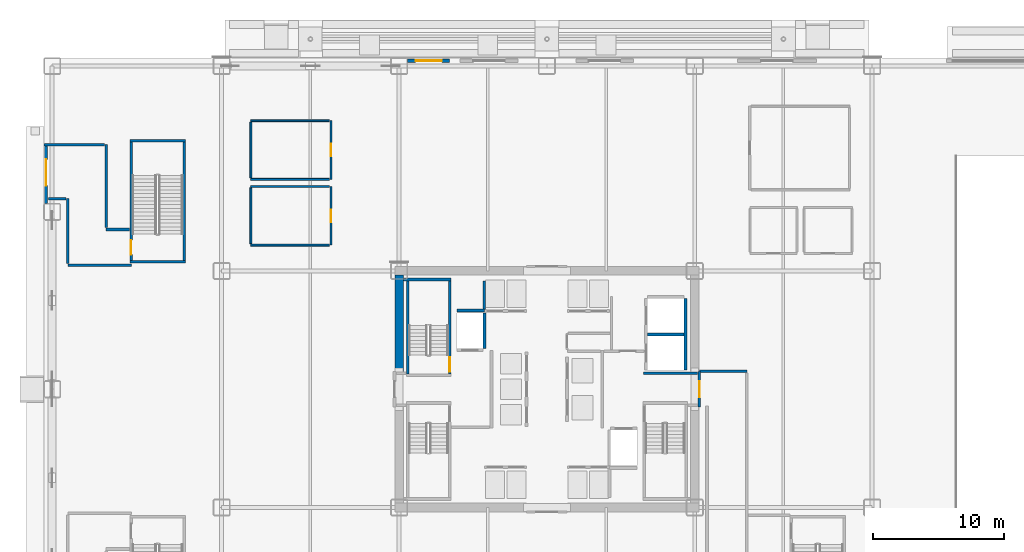
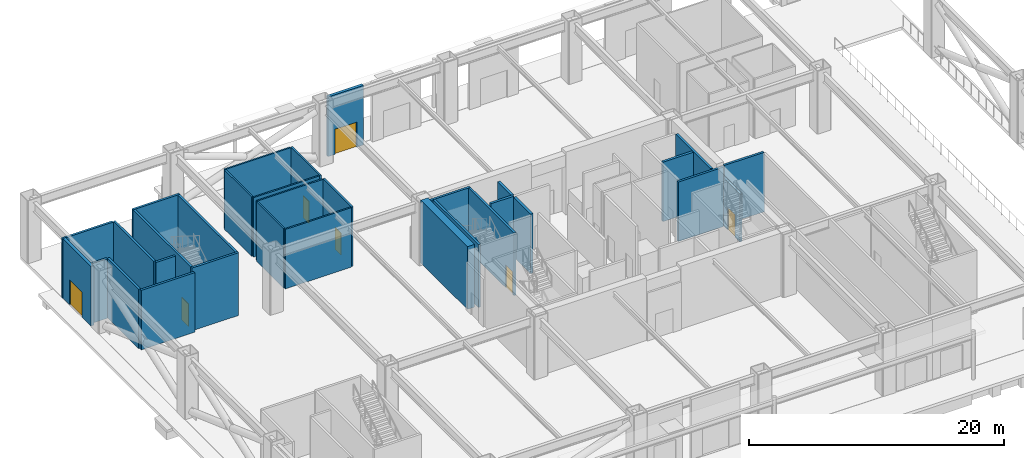
# One storey, part 10 of 17: 32 walls, 7 doors, 7 openings.
"""IFC4 building model written with IfcOpenShell, lengths in metres."""

from ifc_helpers import new_model, si_unit, direction, frame, frame_2d, origin, place, context, subcontext, project, spatial, rectangle, extrude, source, transform, mapped, material, layer, layer_set, type_object, element, fill, save


model = new_model("IFC4")

# Units and contexts
model_context = context("Model", 3, precision=1e-05, world=origin(), true_north=direction((0.0, 1.0)))
body_context = subcontext(model_context, "Body", "Model", "MODEL_VIEW")
ifc_project = project(units=[si_unit("LENGTHUNIT", "METRE"), si_unit("AREAUNIT", "SQUARE_METRE"), si_unit("VOLUMEUNIT", "CUBIC_METRE"), si_unit("PLANEANGLEUNIT", "RADIAN"), si_unit("MASSUNIT", "GRAM", prefix="KILO")], contexts=[model_context])

# Site, building, storey
site_placement = place(None, origin())
site = spatial("IfcSite", under=ifc_project, at=site_placement, CompositionType="ELEMENT")
building_placement = place(site_placement, origin())
building = spatial("IfcBuilding", under=site, at=building_placement, Name="Nefas-Gora Pilgrimage Tower", CompositionType="ELEMENT")
storey_placement = place(building_placement, origin())
storey = spatial("IfcBuildingStorey", under=building, at=storey_placement, Name="L00", CompositionType="ELEMENT", Elevation=0.0)

# Wall
ifc_material_1 = material(Name="Concrete C60/75", Category="concrete")
ifc_layer_1 = layer(ifc_material_1, 0.64990234375)
ifc_layer_set_1 = layer_set([ifc_layer_1], Name="Concrete C60/75")
wall_type_1 = type_object("IfcWallType", Name="SW-CORE-650", PredefinedType="SHEAR", material=ifc_layer_set_1)
shared_shape_1 = source(origin(), body_context, "Body", "SweptSolid", [
    extrude(rectangle(XDim=7.324951171875, YDim=0.64990234375, at=frame_2d((3.66259765625, 0.0))), origin(), (0.0, 0.0, 1.0), 6.0),
])
wall_1_placement = place(storey_placement, frame((-11.25, 1.35009765625, 0.0), z_axis=(0.0, 0.0, 1.0), x_axis=(0.0, 1.0, 0.0)))
element("IfcWall", 1, at=wall_1_placement, inside=storey, type_object=wall_type_1, Name="L00 Core Shear Wall W-North", PredefinedType="SHEAR", context=body_context, shape_type="MappedRepresentation", body=[
    mapped(shared_shape_1, transform((0.0, 0.0, 0.0), x_axis=(1.0, 0.0, 0.0), y_axis=(0.0, 1.0, 0.0), z_axis=(0.0, 0.0, 1.0), scale=1.0)),
])

# Wall, opening, door
ifc_material_2 = material(Name="Precast concrete C40/50", Category="concrete")
ifc_layer_2 = layer(ifc_material_2, 0.260009765625)
ifc_layer_set_2 = layer_set([ifc_layer_2], Name="Precast concrete C40/50")
wall_type_2 = type_object("IfcWallType", Name="EW-PORTAL-260", PredefinedType="SOLIDWALL", material=ifc_layer_set_2)
shared_shape_2 = source(origin(), body_context, "Body", "SweptSolid", [
    extrude(rectangle(XDim=3.2001953125, YDim=0.260009765625, at=frame_2d((1.60009765625, 0.0))), origin(), (0.0, 0.0, 1.0), 5.699951171875),
])
wall_2_placement = place(storey_placement, frame((-10.60009765625, 25.0, 0.0), z_axis=(0.0, 0.0, 1.0), x_axis=(1.0, 0.0, 0.0)))
wall_2 = element("IfcWall", 2, at=wall_2_placement, inside=storey, type_object=wall_type_2, Name="L00 Exterior Portal Wall (EX-01)", PredefinedType="SOLIDWALL", context=body_context, shape_type="MappedRepresentation", body=[
    mapped(shared_shape_2, transform((0.0, 0.0, 0.0), x_axis=(1.0, 0.0, 0.0), y_axis=(0.0, 1.0, 0.0), z_axis=(0.0, 0.0, 1.0), scale=1.0)),
])
opening_1_placement = place(wall_2_placement, frame((0.60009765625, 0.0, 0.0)))
opening_1 = element("IfcOpeningElement", 3, at=opening_1_placement, cuts=wall_2, Name="Opening EX-D1", PredefinedType="OPENING", context=body_context, shape_type="SweptSolid", body=[
    extrude(rectangle(XDim=2.0, YDim=2.39990234375, at=frame_2d((1.0, 1.199951171875))), frame((0.0, 0.139892578125, 0.0), z_axis=(0.0, -1.0, 0.0), x_axis=(1.0, 0.0, 0.0)), (0.0, 0.0, 1.0), 0.280029296875),
])
ifc_material_3 = material(Name="Painted galvanised steel fire exit door", Category="steel")
door_type_1 = type_object("IfcDoorType", Name="DR-EXT-EXIT-2000", OperationType="DOUBLE_DOOR_SINGLE_SWING", PredefinedType="DOOR", material=ifc_material_3)
shared_shape_3 = source(origin(), body_context, "Body", "SweptSolid", [
    extrude(rectangle(XDim=2.0, YDim=2.39990234375, at=frame_2d((1.0, 1.199951171875))), frame((0.0, 0.02490234375, 0.0), z_axis=(0.0, -1.0, 0.0), x_axis=(1.0, 0.0, 0.0)), (0.0, 0.0, 1.0), 0.050048828125),
])
door_1_placement = place(opening_1_placement, origin())
door_1 = element("IfcDoor", 4, at=door_1_placement, inside=storey, type_object=door_type_1, Name="L00 Exterior Door EX-01 (North Arrival Plaza (Concourse Exit EX-01))", OperationType="DOUBLE_DOOR_SINGLE_SWING", OverallHeight=2.39990234375, OverallWidth=2.0, PredefinedType="DOOR", context=body_context, shape_type="MappedRepresentation", body=[
    mapped(shared_shape_3, transform((0.0, 0.0, 0.0), x_axis=(1.0, 0.0, 0.0), y_axis=(0.0, 1.0, 0.0), z_axis=(0.0, 0.0, 1.0), scale=1.0)),
])
fill(opening_1, door_1)

shared_shape_4 = source(origin(), body_context, "Body", "SweptSolid", [
    extrude(rectangle(XDim=4.41015625, YDim=0.260009765625, at=frame_2d((2.205078125, 0.0))), origin(), (0.0, 0.0, 1.0), 5.699951171875),
])
wall_3_placement = place(storey_placement, frame((-38.1201171875, 14.1298828125, 0.0), z_axis=(0.0, 0.0, 1.0), x_axis=(0.0, 1.0, 0.0)))
wall_3 = element("IfcWall", 5, at=wall_3_placement, inside=storey, type_object=wall_type_2, Name="L00 Exterior Portal Wall (EX-04)", PredefinedType="SOLIDWALL", context=body_context, shape_type="MappedRepresentation", body=[
    mapped(shared_shape_4, transform((0.0, 0.0, 0.0), x_axis=(1.0, 0.0, 0.0), y_axis=(0.0, 1.0, 0.0), z_axis=(0.0, 0.0, 1.0), scale=1.0)),
])
opening_2_placement = place(wall_3_placement, frame((1.3701171875, 0.0, 0.0)))
opening_2 = element("IfcOpeningElement", 6, at=opening_2_placement, cuts=wall_3, Name="Opening EX-D1", PredefinedType="OPENING", context=body_context, shape_type="SweptSolid", body=[
    extrude(rectangle(XDim=2.0, YDim=2.39990234375, at=frame_2d((1.0, 1.199951171875))), frame((0.0, 0.139892578125, 0.0), z_axis=(0.0, -1.0, 0.0), x_axis=(1.0, 0.0, 0.0)), (0.0, 0.0, 1.0), 0.280029296875),
])
door_2_placement = place(opening_2_placement, origin())
door_2 = element("IfcDoor", 7, at=door_2_placement, inside=storey, type_object=door_type_1, Name="L00 Exterior Door EX-04 (West Exit Walkway (ST-04 Protected Exit Passage))", OperationType="DOUBLE_DOOR_SINGLE_SWING", OverallHeight=2.39990234375, OverallWidth=2.0, PredefinedType="DOOR", context=body_context, shape_type="MappedRepresentation", body=[
    mapped(shared_shape_3, transform((0.0, 0.0, 0.0), x_axis=(1.0, 0.0, 0.0), y_axis=(0.0, 1.0, 0.0), z_axis=(0.0, 0.0, 1.0), scale=1.0)),
])
fill(opening_2, door_2)

# Wall
ifc_material_4 = material(Name="Concrete C45/55", Category="concrete")
ifc_layer_3 = layer(ifc_material_4, 0.199951171875)
ifc_layer_set_3 = layer_set([ifc_layer_3], Name="Concrete C45/55")
wall_type_3 = type_object("IfcWallType", Name="IW-STAIR-200", PredefinedType="SOLIDWALL", material=ifc_layer_set_3)
shared_shape_5 = source(origin(), body_context, "Body", "SweptSolid", [
    extrude(rectangle(XDim=3.6298828125, YDim=0.199951171875, at=frame_2d((1.81494140625, 0.0))), origin(), (0.0, 0.0, 1.0), 6.0),
])
wall_4_placement = place(storey_placement, frame((-7.300048828125, 8.35009765625, 0.0), z_axis=(0.0, 0.0, 1.0), x_axis=(-1.0, 0.0, 0.0)))
element("IfcWall", 8, at=wall_4_placement, inside=storey, type_object=wall_type_3, Name="L00 Stairwell Shear Wall ST-01-far", PredefinedType="SOLIDWALL", context=body_context, shape_type="MappedRepresentation", body=[
    mapped(shared_shape_5, transform((0.0, 0.0, 0.0), x_axis=(1.0, 0.0, 0.0), y_axis=(0.0, 1.0, 0.0), z_axis=(0.0, 0.0, 1.0), scale=1.0)),
])

# Wall, opening, door
shared_shape_6 = source(origin(), body_context, "Body", "SweptSolid", [
    extrude(rectangle(XDim=7.10009765625, YDim=0.199951171875, at=frame_2d((3.550048828125, 0.0))), origin(), (0.0, 0.0, 1.0), 6.0),
])
wall_5_placement = place(storey_placement, frame((-7.39990234375, 1.14990234375, 0.0), z_axis=(0.0, 0.0, 1.0), x_axis=(0.0, 1.0, 0.0)))
wall_5 = element("IfcWall", 9, at=wall_5_placement, inside=storey, type_object=wall_type_3, Name="L00 Stairwell Shear Wall ST-01-left", PredefinedType="SOLIDWALL", context=body_context, shape_type="MappedRepresentation", body=[
    mapped(shared_shape_6, transform((0.0, 0.0, 0.0), x_axis=(1.0, 0.0, 0.0), y_axis=(0.0, 1.0, 0.0), z_axis=(0.0, 0.0, 1.0), scale=1.0)),
])
opening_3_placement = place(wall_5_placement, frame((0.179931640625, 0.0, 0.0)))
opening_3 = element("IfcOpeningElement", 10, at=opening_3_placement, cuts=wall_5, Name="Opening ID-ST1", PredefinedType="OPENING", context=body_context, shape_type="SweptSolid", body=[
    extrude(rectangle(XDim=1.10009765625, YDim=2.14990234375, at=frame_2d((0.550048828125, 1.074951171875))), frame((0.0, 0.10986328125, 0.0), z_axis=(0.0, -1.0, 0.0), x_axis=(1.0, 0.0, 0.0)), (0.0, 0.0, 1.0), 0.219970703125),
])
ifc_material_5 = material(Name="Painted galvanised steel fire stair door", Category="steel")
door_type_2 = type_object("IfcDoorType", Name="DR-INT-STAIR-1100", OperationType="NOTDEFINED", PredefinedType="DOOR", material=ifc_material_5)
shared_shape_7 = source(origin(), body_context, "Body", "SweptSolid", [
    extrude(rectangle(XDim=1.10009765625, YDim=2.14990234375, at=frame_2d((0.550048828125, 1.074951171875))), frame((0.0, 0.02490234375, 0.0), z_axis=(0.0, -1.0, 0.0), x_axis=(1.0, 0.0, 0.0)), (0.0, 0.0, 1.0), 0.050048828125),
])
door_3_placement = place(opening_3_placement, frame((1.10009765625, 0.0, 0.0), z_axis=(0.0, 0.0, 1.0), x_axis=(-1.0, 0.0, 0.0)))
door_3 = element("IfcDoor", 11, at=door_3_placement, inside=storey, type_object=door_type_2, Name="L00 Protected Exit Stair Door ST-01", OperationType="SINGLE_SWING_RIGHT", OverallHeight=2.14990234375, OverallWidth=1.10009765625, PredefinedType="DOOR", context=body_context, shape_type="MappedRepresentation", body=[
    mapped(shared_shape_7, transform((0.0, 0.0, 0.0), x_axis=(1.0, 0.0, 0.0), y_axis=(0.0, 1.0, 0.0), z_axis=(0.0, 0.0, 1.0), scale=1.0)),
])
fill(opening_3, door_3)

# Walls
wall_6_placement = place(storey_placement, frame((-10.60009765625, 1.14990234375, 0.0), z_axis=(0.0, 0.0, 1.0), x_axis=(0.0, 1.0, 0.0)))
element("IfcWall", 12, at=wall_6_placement, inside=storey, type_object=wall_type_3, Name="L00 Stairwell Shear Wall ST-01-right", PredefinedType="SOLIDWALL", context=body_context, shape_type="MappedRepresentation", body=[
    mapped(shared_shape_6, transform((0.0, 0.0, 0.0), x_axis=(1.0, 0.0, 0.0), y_axis=(0.0, 1.0, 0.0), z_axis=(0.0, 0.0, 1.0), scale=1.0)),
])
shared_shape_8 = source(origin(), body_context, "Body", "SweptSolid", [
    extrude(rectangle(XDim=4.239990234375, YDim=0.199951171875, at=frame_2d((2.1201171875, 0.0))), origin(), (0.0, 0.0, 1.0), 6.0),
])
for number, where, z_axis, x_axis, name in (
    (13, (-27.5, 9.699951171875, 0.0), (0.0, 0.0, 1.0), (-1.0, 0.0, 0.0), "L00 Stairwell Shear Wall ST-04-near"),
    (14, (-27.5, 18.89990234375, 0.0), (0.0, 0.0, 1.0), (-1.0, 0.0, 0.0), "L00 Stairwell Shear Wall ST-04-far"),
):
    element("IfcWall", number, at=place(storey_placement, frame(where, z_axis=z_axis, x_axis=x_axis)), inside=storey, type_object=wall_type_3, Name=name, PredefinedType="SOLIDWALL", context=body_context, shape_type="MappedRepresentation", body=[
        mapped(shared_shape_8, transform((0.0, 0.0, 0.0), x_axis=(1.0, 0.0, 0.0), y_axis=(0.0, 1.0, 0.0), z_axis=(0.0, 0.0, 1.0), scale=1.0)),
    ])
shared_shape_9 = source(origin(), body_context, "Body", "SweptSolid", [
    extrude(rectangle(XDim=9.0, YDim=0.199951171875, at=frame_2d((4.5, 0.0))), origin(), (0.0, 0.0, 1.0), 6.0),
])
wall_7_placement = place(storey_placement, frame((-27.60009765625, 9.800048828125, 0.0), z_axis=(0.0, 0.0, 1.0), x_axis=(0.0, 1.0, 0.0)))
element("IfcWall", 15, at=wall_7_placement, inside=storey, type_object=wall_type_3, Name="L00 Stairwell Shear Wall ST-04-left", PredefinedType="SOLIDWALL", context=body_context, shape_type="MappedRepresentation", body=[
    mapped(shared_shape_9, transform((0.0, 0.0, 0.0), x_axis=(1.0, 0.0, 0.0), y_axis=(0.0, 1.0, 0.0), z_axis=(0.0, 0.0, 1.0), scale=1.0)),
])

# Wall, opening, door
wall_8_placement = place(storey_placement, frame((-31.639892578125, 9.800048828125, 0.0), z_axis=(0.0, 0.0, 1.0), x_axis=(0.0, 1.0, 0.0)))
wall_8 = element("IfcWall", 16, at=wall_8_placement, inside=storey, type_object=wall_type_3, Name="L00 Stairwell Shear Wall ST-04-right", PredefinedType="SOLIDWALL", context=body_context, shape_type="MappedRepresentation", body=[
    mapped(shared_shape_9, transform((0.0, 0.0, 0.0), x_axis=(1.0, 0.0, 0.0), y_axis=(0.0, 1.0, 0.0), z_axis=(0.0, 0.0, 1.0), scale=1.0)),
])
opening_4_placement = place(wall_8_placement, frame((0.449951171875, 0.0, 0.0)))
opening_4 = element("IfcOpeningElement", 17, at=opening_4_placement, cuts=wall_8, Name="Opening ID-ST1", PredefinedType="OPENING", context=body_context, shape_type="SweptSolid", body=[
    extrude(rectangle(XDim=1.10009765625, YDim=2.14990234375, at=frame_2d((0.550048828125, 1.074951171875))), frame((0.0, 0.10986328125, 0.0), z_axis=(0.0, -1.0, 0.0), x_axis=(1.0, 0.0, 0.0)), (0.0, 0.0, 1.0), 0.219970703125),
])
door_4_placement = place(opening_4_placement, origin())
door_4 = element("IfcDoor", 18, at=door_4_placement, inside=storey, type_object=door_type_2, Name="L00 Protected Exit Stair Door ST-04", OperationType="SINGLE_SWING_RIGHT", OverallHeight=2.14990234375, OverallWidth=1.10009765625, PredefinedType="DOOR", context=body_context, shape_type="MappedRepresentation", body=[
    mapped(shared_shape_7, transform((0.0, 0.0, 0.0), x_axis=(1.0, 0.0, 0.0), y_axis=(0.0, 1.0, 0.0), z_axis=(0.0, 0.0, 1.0), scale=1.0)),
])
fill(opening_4, door_4)

# Walls
ifc_material_6 = material(Name="Concrete C40/50", Category="concrete")
ifc_layer_4 = layer(ifc_material_6, 0.219970703125)
ifc_layer_set_4 = layer_set([ifc_layer_4], Name="Concrete C40/50")
wall_type_4 = type_object("IfcWallType", Name="IW-SHAFT-220", PredefinedType="SOLIDWALL", material=ifc_layer_set_4)
shared_shape_10 = source(origin(), body_context, "Body", "SweptSolid", [
    extrude(rectangle(XDim=2.679931640625, YDim=0.219970703125, at=frame_2d((1.33984375, 0.0))), origin(), (0.0, 0.0, 1.0), 5.68505859375),
])
wall_9_placement = place(storey_placement, frame((-4.739990234375, 3.110107421875, 0.0), z_axis=(0.0, 0.0, 1.0), x_axis=(0.0, 1.0, 0.0)))
element("IfcWall", 19, at=wall_9_placement, inside=storey, type_object=wall_type_4, Name="L00 Hoistway Wall FFL-01-E", PredefinedType="SOLIDWALL", context=body_context, shape_type="MappedRepresentation", body=[
    mapped(shared_shape_10, transform((0.0, 0.0, 0.0), x_axis=(1.0, 0.0, 0.0), y_axis=(0.0, 1.0, 0.0), z_axis=(0.0, 0.0, 1.0), scale=1.0)),
])
shared_shape_11 = source(origin(), body_context, "Body", "SweptSolid", [
    extrude(rectangle(XDim=5.449951171875, YDim=0.219970703125, at=frame_2d((2.72509765625, 0.0))), origin(), (0.0, 0.0, 1.0), 5.68505859375),
])
wall_10_placement = place(storey_placement, frame((10.56005859375, 1.449951171875, 0.0), z_axis=(0.0, 0.0, 1.0), x_axis=(0.0, 1.0, 0.0)))
element("IfcWall", 20, at=wall_10_placement, inside=storey, type_object=wall_type_4, Name="L00 Hoistway Wall SL-01-02-E", PredefinedType="SOLIDWALL", context=body_context, shape_type="MappedRepresentation", body=[
    mapped(shared_shape_11, transform((0.0, 0.0, 0.0), x_axis=(1.0, 0.0, 0.0), y_axis=(0.0, 1.0, 0.0), z_axis=(0.0, 0.0, 1.0), scale=1.0)),
])
shared_shape_12 = source(origin(), body_context, "Body", "SweptSolid", [
    extrude(rectangle(XDim=2.780029296875, YDim=0.219970703125, at=frame_2d((1.39013671875, 0.0))), origin(), (0.0, 0.0, 1.0), 5.68505859375),
])
wall_11_placement = place(storey_placement, frame((7.659912109375, 4.175048828125, 0.0), z_axis=(0.0, 0.0, 1.0), x_axis=(1.0, 0.0, 0.0)))
element("IfcWall", 21, at=wall_11_placement, inside=storey, type_object=wall_type_4, Name="L00 Hoistway Wall SL-01-02-DIV", PredefinedType="SOLIDWALL", context=body_context, shape_type="MappedRepresentation", body=[
    mapped(shared_shape_12, transform((0.0, 0.0, 0.0), x_axis=(1.0, 0.0, 0.0), y_axis=(0.0, 1.0, 0.0), z_axis=(0.0, 0.0, 1.0), scale=1.0)),
])
shared_shape_13 = source(origin(), body_context, "Body", "SweptSolid", [
    extrude(rectangle(XDim=2.199951171875, YDim=0.219970703125, at=frame_2d((1.10009765625, 0.0))), origin(), (0.0, 0.0, 1.0), 5.68505859375),
])
wall_12_placement = place(storey_placement, frame((-4.764892578125, 6.050048828125, 0.0), z_axis=(0.0, 0.0, 1.0), x_axis=(0.0, 1.0, 0.0)))
element("IfcWall", 22, at=wall_12_placement, inside=storey, type_object=wall_type_4, Name="L00 Riser Shaft Wall 1", PredefinedType="SOLIDWALL", context=body_context, shape_type="MappedRepresentation", body=[
    mapped(shared_shape_13, transform((0.0, 0.0, 0.0), x_axis=(1.0, 0.0, 0.0), y_axis=(0.0, 1.0, 0.0), z_axis=(0.0, 0.0, 1.0), scale=1.0)),
])
shared_shape_14 = source(origin(), body_context, "Body", "SweptSolid", [
    extrude(rectangle(XDim=2.09521484375, YDim=0.219970703125, at=frame_2d((1.047607421875, 0.0))), origin(), (0.0, 0.0, 1.0), 5.68505859375),
])
wall_13_placement = place(storey_placement, frame((-6.85009765625, 6.0, 0.0), z_axis=(0.0, 0.0, 1.0), x_axis=(1.0, 0.0, 0.0)))
element("IfcWall", 23, at=wall_13_placement, inside=storey, type_object=wall_type_4, Name="L00 Riser Shaft Wall 2", PredefinedType="SOLIDWALL", context=body_context, shape_type="MappedRepresentation", body=[
    mapped(shared_shape_14, transform((0.0, 0.0, 0.0), x_axis=(1.0, 0.0, 0.0), y_axis=(0.0, 1.0, 0.0), z_axis=(0.0, 0.0, 1.0), scale=1.0)),
])

# Wall, opening, door
ifc_material_7 = material(Name="Gypsum fire-rated shaftwall")
ifc_layer_5 = layer(ifc_material_7, 0.199951171875)
ifc_layer_set_5 = layer_set([ifc_layer_5], Name="Gypsum fire-rated shaftwall")
wall_type_5 = type_object("IfcWallType", Name="IW-FFLOB-200", PredefinedType="PARTITIONING", material=ifc_layer_set_5)
shared_shape_15 = source(origin(), body_context, "Body", "SweptSolid", [
    extrude(rectangle(XDim=2.7001953125, YDim=0.199951171875, at=frame_2d((1.35009765625, 0.0))), origin(), (0.0, 0.0, 1.0), 4.574951171875),
])
wall_14_placement = place(storey_placement, frame((11.60009765625, -1.35009765625, 0.0), z_axis=(0.0, 0.0, 1.0), x_axis=(0.0, 1.0, 0.0)))
wall_14 = element("IfcWall", 24, at=wall_14_placement, inside=storey, type_object=wall_type_5, Name="L00 FF Lobby East Portal Wall 10", PredefinedType="PARTITIONING", context=body_context, shape_type="MappedRepresentation", body=[
    mapped(shared_shape_15, transform((0.0, 0.0, 0.0), x_axis=(1.0, 0.0, 0.0), y_axis=(0.0, 1.0, 0.0), z_axis=(0.0, 0.0, 1.0), scale=1.0)),
])
opening_5_placement = place(wall_14_placement, frame((0.75, 0.0, 0.0)))
opening_5 = element("IfcOpeningElement", 25, at=opening_5_placement, cuts=wall_14, Name="Opening ID-FF1", PredefinedType="OPENING", context=body_context, shape_type="SweptSolid", body=[
    extrude(rectangle(XDim=1.199951171875, YDim=2.14990234375, at=frame_2d((0.60009765625, 1.074951171875))), frame((0.0, 0.10986328125, 0.0), z_axis=(0.0, -1.0, 0.0), x_axis=(1.0, 0.0, 0.0)), (0.0, 0.0, 1.0), 0.219970703125),
])
ifc_material_8 = material(Name="Smoke-sealed steel firefighting lobby door", Category="steel")
door_type_3 = type_object("IfcDoorType", Name="DR-INT-FFLOB-1200", OperationType="NOTDEFINED", PredefinedType="DOOR", material=ifc_material_8)
shared_shape_16 = source(origin(), body_context, "Body", "SweptSolid", [
    extrude(rectangle(XDim=1.199951171875, YDim=2.14990234375, at=frame_2d((0.60009765625, 1.074951171875))), frame((0.0, 0.02490234375, 0.0), z_axis=(0.0, -1.0, 0.0), x_axis=(1.0, 0.0, 0.0)), (0.0, 0.0, 1.0), 0.050048828125),
])
door_5_placement = place(opening_5_placement, frame((1.199951171875, 0.0, 0.0), z_axis=(0.0, 0.0, 1.0), x_axis=(-1.0, 0.0, 0.0)))
door_5 = element("IfcDoor", 26, at=door_5_placement, inside=storey, type_object=door_type_3, Name="L00 FF Lobby East Portal Door 2", OperationType="SINGLE_SWING_LEFT", OverallHeight=2.14990234375, OverallWidth=1.199951171875, PredefinedType="DOOR", context=body_context, shape_type="MappedRepresentation", body=[
    mapped(shared_shape_16, transform((0.0, 0.0, 0.0), x_axis=(1.0, 0.0, 0.0), y_axis=(0.0, 1.0, 0.0), z_axis=(0.0, 0.0, 1.0), scale=1.0)),
])
fill(opening_5, door_5)

# Walls
shared_shape_17 = source(origin(), body_context, "Body", "SweptSolid", [
    extrude(rectangle(XDim=4.10986328125, YDim=0.199951171875, at=frame_2d((2.054931640625, 0.0))), origin(), (0.0, 0.0, 1.0), 5.68505859375),
])
wall_15_placement = place(storey_placement, frame((7.35009765625, 1.219970703125, 0.0), z_axis=(0.0, 0.0, 1.0), x_axis=(1.0, 0.0, 0.0)))
element("IfcWall", 27, at=wall_15_placement, inside=storey, type_object=wall_type_5, Name="L00 FF Lobby East Throat N Wall 14", PredefinedType="PARTITIONING", context=body_context, shape_type="MappedRepresentation", body=[
    mapped(shared_shape_17, transform((0.0, 0.0, 0.0), x_axis=(1.0, 0.0, 0.0), y_axis=(0.0, 1.0, 0.0), z_axis=(0.0, 0.0, 1.0), scale=1.0)),
])
shared_shape_18 = source(origin(), body_context, "Body", "SweptSolid", [
    extrude(rectangle(XDim=3.60498046875, YDim=0.199951171875, at=frame_2d((1.802490234375, 0.0))), origin(), (0.0, 0.0, 1.0), 5.68505859375),
])
wall_16_placement = place(storey_placement, frame((11.614990234375, 1.3798828125, 0.0), z_axis=(0.0, 0.0, 1.0), x_axis=(1.0, 0.0, 0.0)))
element("IfcWall", 28, at=wall_16_placement, inside=storey, type_object=wall_type_5, Name="L00 Protected Exit Passage EXP2 North Wall Wall 20", PredefinedType="PARTITIONING", context=body_context, shape_type="MappedRepresentation", body=[
    mapped(shared_shape_18, transform((0.0, 0.0, 0.0), x_axis=(1.0, 0.0, 0.0), y_axis=(0.0, 1.0, 0.0), z_axis=(0.0, 0.0, 1.0), scale=1.0)),
])
shared_shape_19 = source(origin(), body_context, "Body", "SweptSolid", [
    extrude(rectangle(XDim=4.85986328125, YDim=0.199951171875, at=frame_2d((2.429931640625, 0.0))), origin(), (0.0, 0.0, 1.0), 5.68505859375),
])
wall_17_placement = place(storey_placement, frame((-36.4599609375, 9.43994140625, 0.0), z_axis=(0.0, 0.0, 1.0), x_axis=(1.0, 0.0, 0.0)))
element("IfcWall", 29, at=wall_17_placement, inside=storey, type_object=wall_type_5, Name="L00 Protected Exit Passage EXP4 South Wall Wall 22", PredefinedType="PARTITIONING", context=body_context, shape_type="MappedRepresentation", body=[
    mapped(shared_shape_19, transform((0.0, 0.0, 0.0), x_axis=(1.0, 0.0, 0.0), y_axis=(0.0, 1.0, 0.0), z_axis=(0.0, 0.0, 1.0), scale=1.0)),
])
shared_shape_20 = source(origin(), body_context, "Body", "SweptSolid", [
    extrude(rectangle(XDim=1.760009765625, YDim=0.199951171875, at=frame_2d((0.8798828125, 0.0))), origin(), (0.0, 0.0, 1.0), 5.68505859375),
])
wall_18_placement = place(storey_placement, frame((-33.5400390625, 12.159912109375, 0.0), z_axis=(0.0, 0.0, 1.0), x_axis=(1.0, 0.0, 0.0)))
element("IfcWall", 30, at=wall_18_placement, inside=storey, type_object=wall_type_5, Name="L00 Protected Exit Passage EXP4 Inner Step Wall 23", PredefinedType="PARTITIONING", context=body_context, shape_type="MappedRepresentation", body=[
    mapped(shared_shape_20, transform((0.0, 0.0, 0.0), x_axis=(1.0, 0.0, 0.0), y_axis=(0.0, 1.0, 0.0), z_axis=(0.0, 0.0, 1.0), scale=1.0)),
])
shared_shape_21 = source(origin(), body_context, "Body", "SweptSolid", [
    extrude(rectangle(XDim=6.320068359375, YDim=0.199951171875, at=frame_2d((3.16015625, 0.0))), origin(), (0.0, 0.0, 1.0), 5.68505859375),
])
wall_19_placement = place(storey_placement, frame((-33.5400390625, 12.300048828125, 0.0), z_axis=(0.0, 0.0, 1.0), x_axis=(0.0, 1.0, 0.0)))
element("IfcWall", 31, at=wall_19_placement, inside=storey, type_object=wall_type_5, Name="L00 Protected Exit Passage EXP4 East Wall Wall 24", PredefinedType="PARTITIONING", context=body_context, shape_type="MappedRepresentation", body=[
    mapped(shared_shape_21, transform((0.0, 0.0, 0.0), x_axis=(1.0, 0.0, 0.0), y_axis=(0.0, 1.0, 0.0), z_axis=(0.0, 0.0, 1.0), scale=1.0)),
])
shared_shape_22 = source(origin(), body_context, "Body", "SweptSolid", [
    extrude(rectangle(XDim=4.590087890625, YDim=0.199951171875, at=frame_2d((2.294921875, 0.0))), origin(), (0.0, 0.0, 1.0), 5.68505859375),
])
wall_20_placement = place(storey_placement, frame((-38.27001953125, 18.6201171875, 0.0), z_axis=(0.0, 0.0, 1.0), x_axis=(1.0, 0.0, 0.0)))
element("IfcWall", 32, at=wall_20_placement, inside=storey, type_object=wall_type_5, Name="L00 Protected Exit Passage EXP4 North Wall Wall 25", PredefinedType="PARTITIONING", context=body_context, shape_type="MappedRepresentation", body=[
    mapped(shared_shape_22, transform((0.0, 0.0, 0.0), x_axis=(1.0, 0.0, 0.0), y_axis=(0.0, 1.0, 0.0), z_axis=(0.0, 0.0, 1.0), scale=1.0)),
])
shared_shape_23 = source(origin(), body_context, "Body", "SweptSolid", [
    extrude(rectangle(XDim=4.919921875, YDim=0.199951171875, at=frame_2d((2.4599609375, 0.0))), origin(), (0.0, 0.0, 1.0), 5.68505859375),
])
wall_21_placement = place(storey_placement, frame((-36.4599609375, 9.580078125, 0.0), z_axis=(0.0, 0.0, 1.0), x_axis=(0.0, 1.0, 0.0)))
element("IfcWall", 33, at=wall_21_placement, inside=storey, type_object=wall_type_5, Name="L00 Protected Exit Passage EXP4 Outer Step Wall 26", PredefinedType="PARTITIONING", context=body_context, shape_type="MappedRepresentation", body=[
    mapped(shared_shape_23, transform((0.0, 0.0, 0.0), x_axis=(1.0, 0.0, 0.0), y_axis=(0.0, 1.0, 0.0), z_axis=(0.0, 0.0, 1.0), scale=1.0)),
])
shared_shape_24 = source(origin(), body_context, "Body", "SweptSolid", [
    extrude(rectangle(XDim=1.349853515625, YDim=0.199951171875, at=frame_2d((0.6748046875, 0.0))), origin(), (0.0, 0.0, 1.0), 5.68505859375),
])
wall_22_placement = place(storey_placement, frame((-37.949951171875, 14.5, 0.0), z_axis=(0.0, 0.0, 1.0), x_axis=(1.0, 0.0, 0.0)))
element("IfcWall", 34, at=wall_22_placement, inside=storey, type_object=wall_type_5, Name="L00 Protected Exit Passage EXP4 West Throat Wall 27", PredefinedType="PARTITIONING", context=body_context, shape_type="MappedRepresentation", body=[
    mapped(shared_shape_24, transform((0.0, 0.0, 0.0), x_axis=(1.0, 0.0, 0.0), y_axis=(0.0, 1.0, 0.0), z_axis=(0.0, 0.0, 1.0), scale=1.0)),
])

# Wall, opening, door
ifc_material_9 = material(Name="Gypsum acoustic stud partition")
ifc_layer_6 = layer(ifc_material_9, 0.159912109375)
ifc_layer_set_6 = layer_set([ifc_layer_6], Name="Gypsum acoustic stud partition")
wall_type_6 = type_object("IfcWallType", Name="IW-CORR-160", PredefinedType="PARTITIONING", material=ifc_layer_set_6)
shared_shape_25 = source(origin(), body_context, "Body", "SweptSolid", [
    extrude(rectangle(XDim=4.47998046875, YDim=0.159912109375, at=frame_2d((2.239990234375, 0.0))), origin(), (0.0, 0.0, 1.0), 5.68505859375),
])
wall_23_placement = place(storey_placement, frame((-16.43994140625, 15.9599609375, 0.0), z_axis=(0.0, 0.0, 1.0), x_axis=(0.0, 1.0, 0.0)))
wall_23 = element("IfcWall", 35, at=wall_23_placement, inside=storey, type_object=wall_type_6, Name="L00 Fire Command Centre Wall 38", PredefinedType="PARTITIONING", context=body_context, shape_type="MappedRepresentation", body=[
    mapped(shared_shape_25, transform((0.0, 0.0, 0.0), x_axis=(1.0, 0.0, 0.0), y_axis=(0.0, 1.0, 0.0), z_axis=(0.0, 0.0, 1.0), scale=1.0)),
])
opening_6_placement = place(wall_23_placement, frame((1.764892578125, 0.0, 0.0)))
opening_6 = element("IfcOpeningElement", 36, at=opening_6_placement, cuts=wall_23, Name="Opening ID-GR1", PredefinedType="OPENING", context=body_context, shape_type="SweptSolid", body=[
    extrude(rectangle(XDim=0.949951171875, YDim=2.10009765625, at=frame_2d((0.47509765625, 1.050048828125))), frame((0.0, 0.08984375, 0.0), z_axis=(0.0, -1.0, 0.0), x_axis=(1.0, 0.0, 0.0)), (0.0, 0.0, 1.0), 0.179931640625),
])
ifc_material_10 = material(Name="Solid core oak fire-rated guest entrance door")
door_type_4 = type_object("IfcDoorType", Name="DR-INT-GUEST-950", OperationType="NOTDEFINED", PredefinedType="DOOR", material=ifc_material_10)
shared_shape_26 = source(origin(), body_context, "Body", "SweptSolid", [
    extrude(rectangle(XDim=0.949951171875, YDim=2.10009765625, at=frame_2d((0.47509765625, 1.050048828125))), frame((0.0, 0.02490234375, 0.0), z_axis=(0.0, -1.0, 0.0), x_axis=(1.0, 0.0, 0.0)), (0.0, 0.0, 1.0), 0.050048828125),
])
door_6_placement = place(opening_6_placement, origin())
door_6 = element("IfcDoor", 37, at=door_6_placement, inside=storey, type_object=door_type_4, Name="L00 Fire Command Centre Door 7", OperationType="SINGLE_SWING_RIGHT", OverallHeight=2.10009765625, OverallWidth=0.949951171875, PredefinedType="DOOR", context=body_context, shape_type="MappedRepresentation", body=[
    mapped(shared_shape_26, transform((0.0, 0.0, 0.0), x_axis=(1.0, 0.0, 0.0), y_axis=(0.0, 1.0, 0.0), z_axis=(0.0, 0.0, 1.0), scale=1.0)),
])
fill(opening_6, door_6)

wall_24_placement = place(storey_placement, frame((-16.43994140625, 10.9599609375, 0.0), z_axis=(0.0, 0.0, 1.0), x_axis=(0.0, 1.0, 0.0)))
wall_24 = element("IfcWall", 38, at=wall_24_placement, inside=storey, type_object=wall_type_6, Name="L00 Pilgrim Reception and Security Office Wall 42", PredefinedType="PARTITIONING", context=body_context, shape_type="MappedRepresentation", body=[
    mapped(shared_shape_25, transform((0.0, 0.0, 0.0), x_axis=(1.0, 0.0, 0.0), y_axis=(0.0, 1.0, 0.0), z_axis=(0.0, 0.0, 1.0), scale=1.0)),
])
opening_7_placement = place(wall_24_placement, frame((1.764892578125, 0.0, 0.0)))
opening_7 = element("IfcOpeningElement", 39, at=opening_7_placement, cuts=wall_24, Name="Opening ID-GR1", PredefinedType="OPENING", context=body_context, shape_type="SweptSolid", body=[
    extrude(rectangle(XDim=0.949951171875, YDim=2.10009765625, at=frame_2d((0.47509765625, 1.050048828125))), frame((0.0, 0.08984375, 0.0), z_axis=(0.0, -1.0, 0.0), x_axis=(1.0, 0.0, 0.0)), (0.0, 0.0, 1.0), 0.179931640625),
])
door_7_placement = place(opening_7_placement, origin())
door_7 = element("IfcDoor", 40, at=door_7_placement, inside=storey, type_object=door_type_4, Name="L00 Pilgrim Reception and Security Office Door 8", OperationType="SINGLE_SWING_LEFT", OverallHeight=2.10009765625, OverallWidth=0.949951171875, PredefinedType="DOOR", context=body_context, shape_type="MappedRepresentation", body=[
    mapped(shared_shape_26, transform((0.0, 0.0, 0.0), x_axis=(1.0, 0.0, 0.0), y_axis=(0.0, 1.0, 0.0), z_axis=(0.0, 0.0, 1.0), scale=1.0)),
])
fill(opening_7, door_7)

# Walls
ifc_material_11 = material(Name="Gypsum twin-stud partition")
ifc_layer_7 = layer(ifc_material_11, 0.139892578125)
ifc_layer_set_7 = layer_set([ifc_layer_7], Name="Gypsum twin-stud partition")
wall_type_7 = type_object("IfcWallType", Name="IW-UNIT-140", PredefinedType="PARTITIONING", material=ifc_layer_set_7)
shared_shape_27 = source(origin(), body_context, "Body", "SweptSolid", [
    extrude(rectangle(XDim=5.97998046875, YDim=0.139892578125, at=frame_2d((2.989990234375, 0.0))), origin(), (0.0, 0.0, 1.0), 5.68505859375),
])
for number, where, z_axis, x_axis, name in (
    (41, (-22.5400390625, 15.969970703125, 0.0), (0.0, 0.0, 1.0), (1.0, 0.0, 0.0), "L00 Fire Command Centre Partition Wall 39"),
    (42, (-22.5400390625, 20.429931640625, 0.0), (0.0, 0.0, 1.0), (1.0, 0.0, 0.0), "L00 Fire Command Centre Partition Wall 40"),
    (43, (-22.5400390625, 10.969970703125, 0.0), (0.0, 0.0, 1.0), (1.0, 0.0, 0.0), "L00 Pilgrim Reception and Security Office Partition Wall 43"),
    (44, (-22.5400390625, 15.429931640625, 0.0), (0.0, 0.0, 1.0), (1.0, 0.0, 0.0), "L00 Pilgrim Reception and Security Office Partition Wall 44"),
):
    element("IfcWall", number, at=place(storey_placement, frame(where, z_axis=z_axis, x_axis=x_axis)), inside=storey, type_object=wall_type_7, Name=name, PredefinedType="PARTITIONING", context=body_context, shape_type="MappedRepresentation", body=[
        mapped(shared_shape_27, transform((0.0, 0.0, 0.0), x_axis=(1.0, 0.0, 0.0), y_axis=(0.0, 1.0, 0.0), z_axis=(0.0, 0.0, 1.0), scale=1.0)),
    ])
shared_shape_28 = source(origin(), body_context, "Body", "SweptSolid", [
    extrude(rectangle(XDim=4.239990234375, YDim=0.139892578125, at=frame_2d((2.1201171875, 0.0))), origin(), (0.0, 0.0, 1.0), 5.68505859375),
])
for number, where, z_axis, x_axis, name in (
    (45, (-22.530029296875, 16.080078125, 0.0), (0.0, 0.0, 1.0), (0.0, 1.0, 0.0), "L00 Fire Command Centre Partition Wall 41"),
    (46, (-22.530029296875, 11.080078125, 0.0), (0.0, 0.0, 1.0), (0.0, 1.0, 0.0), "L00 Pilgrim Reception and Security Office Partition Wall 45"),
):
    element("IfcWall", number, at=place(storey_placement, frame(where, z_axis=z_axis, x_axis=x_axis)), inside=storey, type_object=wall_type_7, Name=name, PredefinedType="PARTITIONING", context=body_context, shape_type="MappedRepresentation", body=[
        mapped(shared_shape_28, transform((0.0, 0.0, 0.0), x_axis=(1.0, 0.0, 0.0), y_axis=(0.0, 1.0, 0.0), z_axis=(0.0, 0.0, 1.0), scale=1.0)),
    ])

save(model, "model.ifc")
